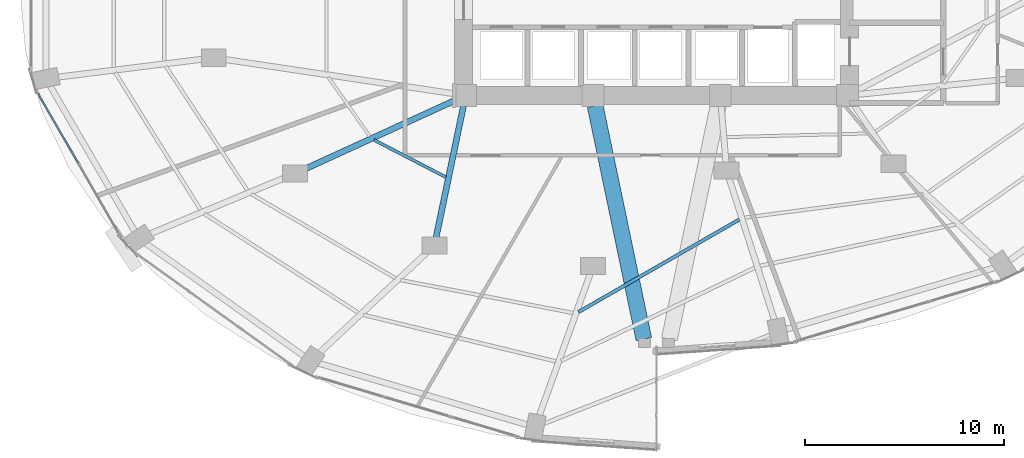
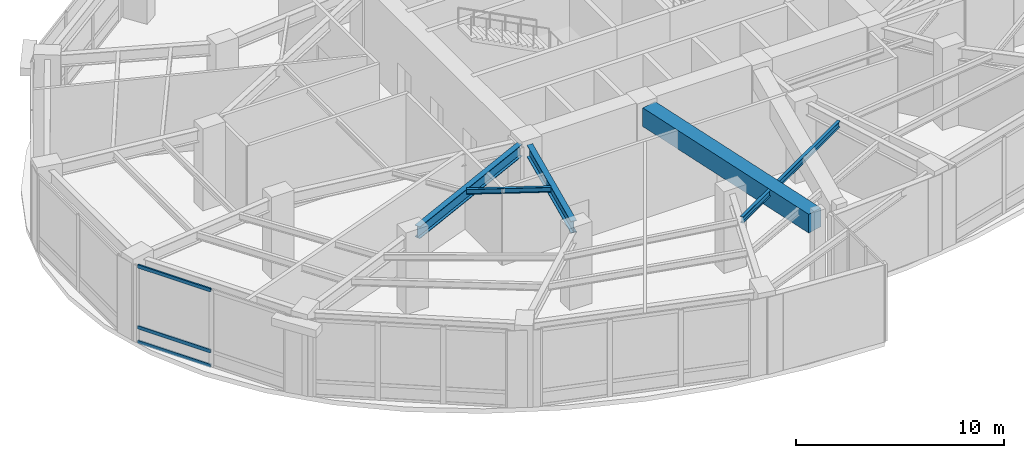
# One storey, part 5 of 24: 5 beams, 3 members, 1 element without a shape of its own.
"""IFC4 building model written with IfcOpenShell, lengths in metres."""

from ifc_helpers import new_model, si_unit, direction, frame, origin, origin_2d, place, context, subcontext, project, spatial, rectangle, hollow_rectangle, i_section, extrude, material, layer, layer_set, material_profile, profile_set, type_object, element, aggregate, save


model = new_model("IFC4")

# Units and contexts
model_context = context("Model", 3, precision=1e-05, world=origin(), true_north=direction((0.0, 1.0)))
body_context = subcontext(model_context, "Body", "Model", "MODEL_VIEW")
ifc_project = project(units=[si_unit("LENGTHUNIT", "METRE"), si_unit("AREAUNIT", "SQUARE_METRE"), si_unit("VOLUMEUNIT", "CUBIC_METRE"), si_unit("PLANEANGLEUNIT", "RADIAN"), si_unit("MASSUNIT", "GRAM", prefix="KILO")], contexts=[model_context])

# Site, building, storey
site_placement = place(None, origin())
site = spatial("IfcSite", under=ifc_project, at=site_placement, CompositionType="ELEMENT")
building_placement = place(site_placement, origin())
building = spatial("IfcBuilding", under=site, at=building_placement, Name="Lazwardi Medical Tower", CompositionType="ELEMENT")
storey_placement = place(building_placement, frame((0.0, 0.0, 15.60009765625)))
storey = spatial("IfcBuildingStorey", under=building, at=storey_placement, Name="L03", CompositionType="ELEMENT", Elevation=15.60009765625)

# Beams
ifc_material_1 = material(Name="Concrete C70/85", Category="concrete")
ifc_material_profile_1 = material_profile(ifc_material_1, rectangle(XDim=0.800048828125, YDim=1.10009765625, at=origin_2d()), Name="RC 800x1100")
ifc_profile_set_1 = profile_set([ifc_material_profile_1], Name="Concrete C70/85")
beam_type_1 = type_object("IfcBeamType", Name="BM-CB-RC1", PredefinedType="LINTEL", material=ifc_profile_set_1)
beam_1_placement = place(storey_placement, frame((32.909423828125, 19.876220703125, 3.969970703125), z_axis=(0.204429747009, -0.978881238219, 0.0), x_axis=(0.978881238219, 0.204429747009, 0.0)))
element("IfcBeam", 1, at=beam_1_placement, inside=storey, type_object=beam_type_1, Name="Core coupling lintel CB-01 PL3 L03", PredefinedType="LINTEL", context=body_context, shape_type="SweptSolid", body=[
    extrude(rectangle(XDim=0.800048828125, YDim=1.10009765625, at=origin_2d()), origin(), (0.0, 0.0, 1.0), 11.9736328125),
])
ifc_material_2 = material(Name="Steel S355", Category="steel")
ifc_material_profile_2 = material_profile(ifc_material_2, i_section(OverallWidth=0.300048828125, OverallDepth=0.699951171875, WebThickness=0.01708984375, FlangeThickness=0.031982421875, at=origin_2d()), Name="HEB 700")
ifc_profile_set_2 = profile_set([ifc_material_profile_2], Name="Steel S355")
beam_type_2 = type_object("IfcBeamType", Name="BM-RG-P1", PredefinedType="BEAM", material=ifc_profile_set_2)
beam_2_placement = place(storey_placement, frame((18.186767578125, 16.642333984375, 4.169921875), z_axis=(0.909345301738, 0.41604221205, 0.0), x_axis=(-0.41604221205, 0.909345301738, 0.0)))
element("IfcBeam", 2, at=beam_2_placement, inside=storey, type_object=beam_type_2, Name="Radial girder RG-01 R14B L03", PredefinedType="BEAM", context=body_context, shape_type="SweptSolid", body=[
    extrude(i_section(OverallWidth=0.300048828125, OverallDepth=0.699951171875, WebThickness=0.01708984375, FlangeThickness=0.031982421875, at=origin_2d()), origin(), (0.0, 0.0, 1.0), 8.4970703125),
])
beam_3_placement = place(storey_placement, frame((24.910400390625, 13.24462890625, 4.169921875), z_axis=(0.203817520402, 0.979008895964, 0.0), x_axis=(-0.979008895964, 0.203817520402, 0.0)))
element("IfcBeam", 3, at=beam_3_placement, inside=storey, type_object=beam_type_2, Name="Radial girder RG-01 R15B L03", PredefinedType="BEAM", context=body_context, shape_type="SweptSolid", body=[
    extrude(i_section(OverallWidth=0.300048828125, OverallDepth=0.699951171875, WebThickness=0.01708984375, FlangeThickness=0.031982421875, at=origin_2d()), origin(), (0.0, 0.0, 1.0), 6.773681640625),
])
ifc_material_profile_3 = material_profile(ifc_material_2, i_section(OverallWidth=0.169921875, OverallDepth=0.360107421875, WebThickness=0.008056640625, FlangeThickness=0.0126953125, at=origin_2d()), Name="IPE 360")
ifc_profile_set_3 = profile_set([ifc_material_profile_3], Name="Steel S355")
beam_type_3 = type_object("IfcBeamType", Name="BM-SJ-02", PredefinedType="JOIST", material=ifc_profile_set_3)
beam_4_placement = place(storey_placement, frame((32.069580078125, 9.51220703125, 4.33984375), z_axis=(0.866735235498, 0.498768514991, 0.0), x_axis=(-0.498768514991, 0.866735235498, 0.0)))
element("IfcBeam", 4, at=beam_4_placement, inside=storey, type_object=beam_type_3, Name="Secondary joist SJ-02 RO2 B16 L03", PredefinedType="JOIST", context=body_context, shape_type="SweptSolid", body=[
    extrude(i_section(OverallWidth=0.169921875, OverallDepth=0.360107421875, WebThickness=0.008056640625, FlangeThickness=0.0126953125, at=origin_2d()), origin(), (0.0, 0.0, 1.0), 9.33056640625),
])
ifc_material_profile_4 = material_profile(ifc_material_2, i_section(OverallWidth=0.14990234375, OverallDepth=0.300048828125, WebThickness=0.007080078125, FlangeThickness=0.0107421875, at=origin_2d()), Name="IPE 300")
ifc_profile_set_4 = profile_set([ifc_material_profile_4], Name="Steel S355")
beam_type_4 = type_object("IfcBeamType", Name="BM-SJ-03", PredefinedType="JOIST", material=ifc_profile_set_4)
beam_5_placement = place(storey_placement, frame((21.79248046875, 18.16650390625, 4.369873046875), z_axis=(0.887861727128, -0.460110370999, 0.0), x_axis=(0.460110370999, 0.887861727128, 0.0)))
element("IfcBeam", 5, at=beam_5_placement, inside=storey, type_object=beam_type_4, Name="Secondary joist SJ-03 RI1 B14 L03", PredefinedType="JOIST", context=body_context, shape_type="SweptSolid", body=[
    extrude(i_section(OverallWidth=0.14990234375, OverallDepth=0.300048828125, WebThickness=0.007080078125, FlangeThickness=0.0107421875, at=origin_2d()), origin(), (0.0, 0.0, 1.0), 4.066650390625),
])

# Curtain wall, members
ifc_material_3 = material(Name="Anodised bronze aluminium and solar control glazing", Category="aluminium")
ifc_layer = layer(ifc_material_3, 0.219970703125)
ifc_layer_set = layer_set([ifc_layer], Name="Anodised bronze aluminium and solar control glazing")
curtain_wall_type = type_object("IfcCurtainWallType", Name="CW-SYS-01", PredefinedType="NOTDEFINED", material=ifc_layer_set)
curtain_wall_placement = place(storey_placement, origin())
curtain_wall = element("IfcCurtainWall", 6, at=curtain_wall_placement, inside=storey, type_object=curtain_wall_type, Name="L03 Unitised bronze curtain wall CW-01", PredefinedType="NOTDEFINED")
ifc_material_4 = material(Name="Anodised bronze aluminium", Category="aluminium")
ifc_material_profile_5 = material_profile(ifc_material_4, hollow_rectangle(XDim=0.0849609375, YDim=0.199951171875, WallThickness=0.00439453125, at=origin_2d()), Name="ALU-TRANSOM 200x85x4.5")
ifc_profile_set_5 = profile_set([ifc_material_profile_5], Name="Anodised bronze aluminium")
member_type = type_object("IfcMemberType", Name="CW-TRN-02", PredefinedType="USERDEFINED", material=ifc_profile_set_5)
member_1_placement = place(storey_placement, frame((4.906982421875, 20.50927734375, 0.04248046875), z_axis=(0.499741574693, -0.866174554304, 0.0), x_axis=(0.866174554304, 0.499741574693, 0.0)))
member_1 = element("IfcMember", 7, at=member_1_placement, type_object=member_type, Name="CW-01 transom 1.1", ObjectType="TRANSOM", PredefinedType="USERDEFINED", context=body_context, shape_type="SweptSolid", body=[
    extrude(hollow_rectangle(XDim=0.0849609375, YDim=0.199951171875, WallThickness=0.00439453125, at=origin_2d()), origin(), (0.0, 0.0, 1.0), 4.052978515625),
])
member_2_placement = place(storey_placement, frame((4.906982421875, 20.50927734375, 0.89990234375), z_axis=(0.499741574693, -0.866174554304, 0.0), x_axis=(0.866174554304, 0.499741574693, 0.0)))
member_2 = element("IfcMember", 8, at=member_2_placement, type_object=member_type, Name="CW-01 transom 1.2", ObjectType="TRANSOM", PredefinedType="USERDEFINED", context=body_context, shape_type="SweptSolid", body=[
    extrude(hollow_rectangle(XDim=0.0849609375, YDim=0.199951171875, WallThickness=0.00439453125, at=origin_2d()), origin(), (0.0, 0.0, 1.0), 4.052978515625),
])
member_3_placement = place(storey_placement, frame((4.906982421875, 20.50927734375, 4.477294921875), z_axis=(0.499741574693, -0.866174554304, 0.0), x_axis=(0.866174554304, 0.499741574693, 0.0)))
member_3 = element("IfcMember", 9, at=member_3_placement, type_object=member_type, Name="CW-01 transom 1.3", ObjectType="TRANSOM", PredefinedType="USERDEFINED", context=body_context, shape_type="SweptSolid", body=[
    extrude(hollow_rectangle(XDim=0.0849609375, YDim=0.199951171875, WallThickness=0.00439453125, at=origin_2d()), origin(), (0.0, 0.0, 1.0), 4.052978515625),
])
aggregate(curtain_wall, [member_1, member_2, member_3])

save(model, "model.ifc")
